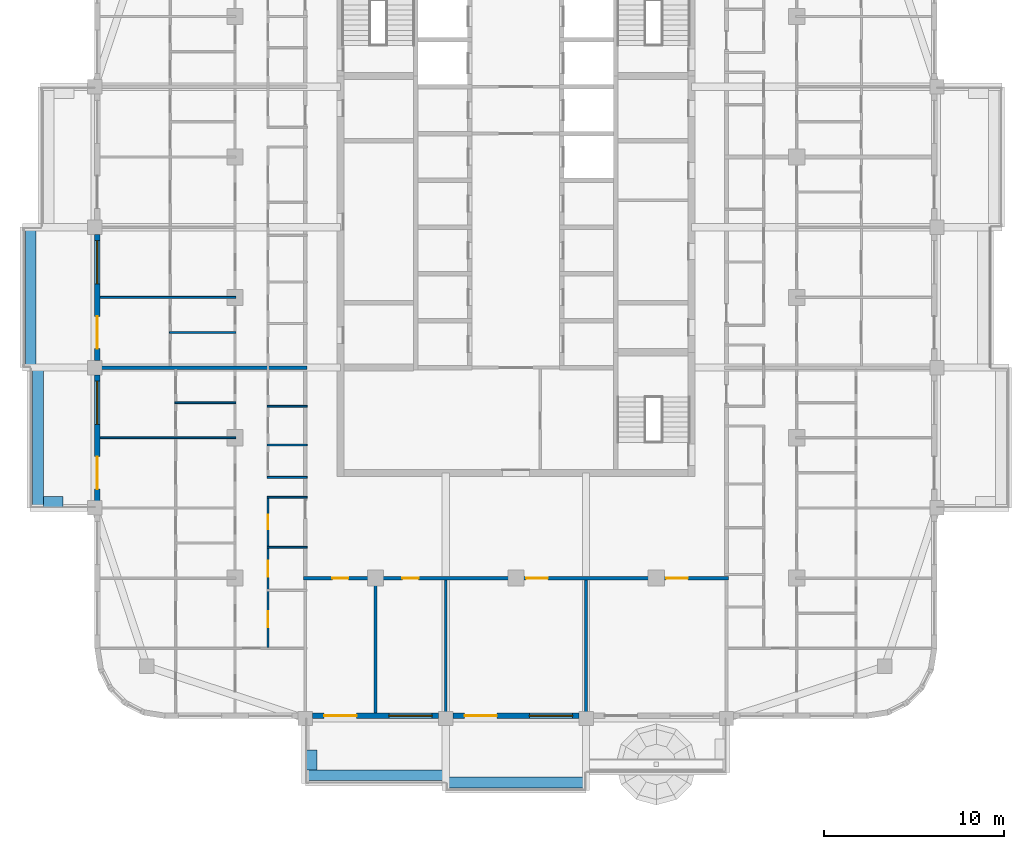
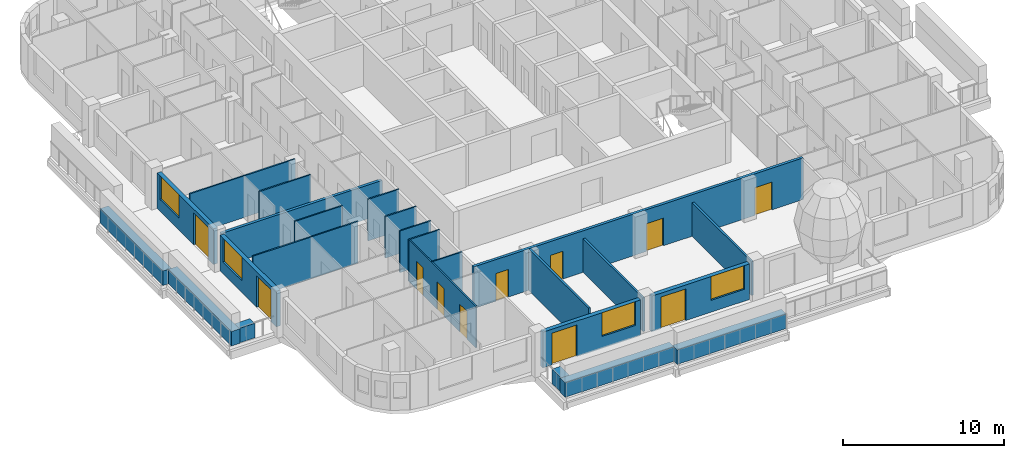
# One storey, part 3 of 17: 25 walls, 11 doors, 4 windows, 15 openings.
"""IFC4 building model written with IfcOpenShell, lengths in metres."""

from ifc_helpers import new_model, si_unit, direction, frame, frame_2d, origin, place, context, subcontext, project, spatial, rectangle, extrude, material, layer, layer_set, type_object, element, fill, save


model = new_model("IFC4")

# Units and contexts
model_context = context("Model", 3, precision=1e-05, world=origin(), true_north=direction((0.0, 1.0)))
body_context = subcontext(model_context, "Body", "Model", "MODEL_VIEW")
ifc_project = project(units=[si_unit("LENGTHUNIT", "METRE"), si_unit("AREAUNIT", "SQUARE_METRE"), si_unit("VOLUMEUNIT", "CUBIC_METRE"), si_unit("PLANEANGLEUNIT", "RADIAN"), si_unit("MASSUNIT", "GRAM", prefix="KILO")], contexts=[model_context])

# Site, building, storey
site_placement = place(None, origin())
site = spatial("IfcSite", under=ifc_project, at=site_placement, CompositionType="ELEMENT")
building_placement = place(site_placement, origin())
building = spatial("IfcBuilding", under=site, at=building_placement, Name="Ludao Terraces", CompositionType="ELEMENT")
storey_placement = place(building_placement, frame((0.0, 0.0, 210.89990234375)))
storey = spatial("IfcBuildingStorey", under=building, at=storey_placement, Name="L57", CompositionType="ELEMENT", Elevation=210.89990234375)

# Walls
ifc_material_1 = material(Name="Concrete C40", Category="concrete")
ifc_layer_1 = layer(ifc_material_1, 0.60009765625)
ifc_layer_set_1 = layer_set([ifc_layer_1], Name="ENV Planter trough 600")
wall_type_1 = type_object("IfcWallType", Name="ENV Planter trough 600", PredefinedType="USERDEFINED", material=ifc_layer_set_1)
wall_1_placement = place(storey_placement, frame((73.300048828125, 38.449951171875, 0.0), z_axis=(0.0, 0.0, 1.0), x_axis=(1.0, 0.0, 0.0)))
element("IfcWall", 1, at=wall_1_placement, inside=storey, type_object=wall_type_1, Name="PL-L57-S1", ObjectType="PLANTER", PredefinedType="USERDEFINED", context=body_context, shape_type="SweptSolid", body=[
    extrude(rectangle(XDim=7.800048828125, YDim=0.60009765625, at=frame_2d((3.89990234375, 0.0))), origin(), (0.0, 0.0, 1.0), 1.10009765625),
])
wall_2_placement = place(storey_placement, frame((73.64990234375, 38.75, 0.0), z_axis=(0.0, 0.0, 1.0), x_axis=(0.0, 1.0, 0.0)))
element("IfcWall", 2, at=wall_2_placement, inside=storey, type_object=wall_type_1, Name="PL-L57-S1-SA", ObjectType="PLANTER", PredefinedType="USERDEFINED", context=body_context, shape_type="SweptSolid", body=[
    extrude(rectangle(XDim=1.10009765625, YDim=0.60009765625, at=frame_2d((0.550048828125, 0.0))), origin(), (0.0, 0.0, 1.0), 1.10009765625),
])
wall_3_placement = place(storey_placement, frame((81.10009765625, 38.050048828125, 0.0), z_axis=(0.0, 0.0, 1.0), x_axis=(1.0, 0.0, 0.0)))
element("IfcWall", 3, at=wall_3_placement, inside=storey, type_object=wall_type_1, Name="PL-L57-S2", ObjectType="PLANTER", PredefinedType="USERDEFINED", context=body_context, shape_type="SweptSolid", body=[
    extrude(rectangle(XDim=7.7998046875, YDim=0.60009765625, at=frame_2d((3.89990234375, 0.0))), origin(), (0.0, 0.0, 1.0), 1.10009765625),
])
wall_4_placement = place(storey_placement, frame((58.449951171875, 53.300048828125, 0.0), z_axis=(0.0, 0.0, 1.0), x_axis=(0.0, 1.0, 0.0)))
element("IfcWall", 4, at=wall_4_placement, inside=storey, type_object=wall_type_1, Name="PL-L57-W1", ObjectType="PLANTER", PredefinedType="USERDEFINED", context=body_context, shape_type="SweptSolid", body=[
    extrude(rectangle(XDim=7.800048828125, YDim=0.60009765625, at=frame_2d((3.89990234375, 0.0))), origin(), (0.0, 0.0, 1.0), 1.10009765625),
])
wall_5_placement = place(storey_placement, frame((58.75, 53.64990234375, 0.0), z_axis=(0.0, 0.0, 1.0), x_axis=(1.0, 0.0, 0.0)))
element("IfcWall", 5, at=wall_5_placement, inside=storey, type_object=wall_type_1, Name="PL-L57-W1-SA", ObjectType="PLANTER", PredefinedType="USERDEFINED", context=body_context, shape_type="SweptSolid", body=[
    extrude(rectangle(XDim=1.10009765625, YDim=0.60009765625, at=frame_2d((0.550048828125, 0.0))), origin(), (0.0, 0.0, 1.0), 1.10009765625),
])
wall_6_placement = place(storey_placement, frame((58.050048828125, 61.10009765625, 0.0), z_axis=(0.0, 0.0, 1.0), x_axis=(0.0, 1.0, 0.0)))
element("IfcWall", 6, at=wall_6_placement, inside=storey, type_object=wall_type_1, Name="PL-L57-W2", ObjectType="PLANTER", PredefinedType="USERDEFINED", context=body_context, shape_type="SweptSolid", body=[
    extrude(rectangle(XDim=7.7998046875, YDim=0.60009765625, at=frame_2d((3.89990234375, 0.0))), origin(), (0.0, 0.0, 1.0), 1.10009765625),
])

# Wall, openings, door, window
ifc_material_2 = material(Name="Granite cladding", Category="masonry")
ifc_layer_2 = layer(ifc_material_2, 0.0400390625, Category="stone")
ifc_material_3 = material(Name="Mineral wool")
ifc_layer_3 = layer(ifc_material_3, 0.06005859375)
ifc_layer_4 = layer(ifc_material_1, 0.199951171875, Category="concrete")
ifc_layer_set_2 = layer_set([ifc_layer_2, ifc_layer_3, ifc_layer_4], Name="ENV Stone-clad wall 300")
wall_type_2 = type_object("IfcWallType", Name="ENV Stone-clad wall 300", PredefinedType="SOLIDWALL", material=ifc_layer_set_2)
wall_7_placement = place(storey_placement, frame((73.699951171875, 41.75, 0.0), z_axis=(0.0, 0.0, 1.0), x_axis=(1.0, 0.0, 0.0)))
wall_7 = element("IfcWall", 7, at=wall_7_placement, inside=storey, type_object=wall_type_2, Name="EW-L57-S2", PredefinedType="SOLIDWALL", context=body_context, shape_type="SweptSolid", body=[
    extrude(rectangle(XDim=7.0, YDim=0.300048828125, at=frame_2d((3.5, 0.0))), origin(), (0.0, 0.0, 1.0), 2.7001953125),
])
opening_1_placement = place(wall_7_placement, frame((0.64990234375, 0.0, 0.0)))
opening_1 = element("IfcOpeningElement", 8, at=opening_1_placement, cuts=wall_7, Name="Opening BD", PredefinedType="OPENING", context=body_context, shape_type="SweptSolid", body=[
    extrude(rectangle(XDim=1.800048828125, YDim=2.39990234375, at=frame_2d((0.89990234375, 1.199951171875))), frame((0.0, 0.16015625, 0.0), z_axis=(0.0, -1.0, 0.0), x_axis=(1.0, 0.0, 0.0)), (0.0, 0.0, 1.0), 0.320068359375),
])
opening_2_placement = place(wall_7_placement, frame((4.25, 0.0, 0.89990234375)))
opening_2 = element("IfcOpeningElement", 9, at=opening_2_placement, cuts=wall_7, Name="Opening W1", PredefinedType="OPENING", context=body_context, shape_type="SweptSolid", body=[
    extrude(rectangle(XDim=2.39990234375, YDim=1.800048828125, at=frame_2d((1.199951171875, 0.89990234375))), frame((0.0, 0.16015625, 0.0), z_axis=(0.0, -1.0, 0.0), x_axis=(1.0, 0.0, 0.0)), (0.0, 0.0, 1.0), 0.320068359375),
])
ifc_material_4 = material(Name="Aluminium glazed door", Category="aluminium")
ifc_layer_5 = layer(ifc_material_4, 0.06005859375)
ifc_layer_set_3 = layer_set([ifc_layer_5], Name="ENV Balcony door BD 1800x2400")
door_type_1 = type_object("IfcDoorType", Name="ENV Balcony door BD 1800x2400", OperationType="DOUBLE_DOOR_SINGLE_SWING", PredefinedType="DOOR", material=ifc_layer_set_3)
door_1_placement = place(opening_1_placement, origin())
door_1 = element("IfcDoor", 10, at=door_1_placement, inside=storey, type_object=door_type_1, Name="BD-L57-S2-1", OperationType="DOUBLE_DOOR_SINGLE_SWING", OverallHeight=2.39990234375, OverallWidth=1.800048828125, PredefinedType="DOOR", context=body_context, shape_type="SweptSolid", body=[
    extrude(rectangle(XDim=1.800048828125, YDim=2.39990234375, at=frame_2d((0.89990234375, 1.199951171875))), frame((0.0, 0.02490234375, 0.0), z_axis=(0.0, -1.0, 0.0), x_axis=(1.0, 0.0, 0.0)), (0.0, 0.0, 1.0), 0.050048828125),
])
fill(opening_1, door_1)
ifc_material_5 = material(Name="Clear glass in aluminium frame", Category="aluminium")
ifc_layer_6 = layer(ifc_material_5, 0.06005859375)
ifc_layer_set_4 = layer_set([ifc_layer_6], Name="ENV Window W1 2400x1800")
window_type = type_object("IfcWindowType", Name="ENV Window W1 2400x1800", PartitioningType="DOUBLE_PANEL_VERTICAL", PredefinedType="WINDOW", material=ifc_layer_set_4)
window_1_placement = place(opening_2_placement, origin())
window_1 = element("IfcWindow", 11, at=window_1_placement, inside=storey, type_object=window_type, Name="W-L57-S2-2", OverallHeight=1.800048828125, OverallWidth=2.39990234375, PartitioningType="DOUBLE_PANEL_VERTICAL", PredefinedType="WINDOW", context=body_context, shape_type="SweptSolid", body=[
    extrude(rectangle(XDim=2.39990234375, YDim=1.800048828125, at=frame_2d((1.199951171875, 0.89990234375))), frame((0.0, 0.030029296875, 0.0), z_axis=(0.0, -1.0, 0.0), x_axis=(1.0, 0.0, 0.0)), (0.0, 0.0, 1.0), 0.06005859375),
])
fill(opening_2, window_1)

wall_8_placement = place(storey_placement, frame((81.5, 41.75, 0.0), z_axis=(0.0, 0.0, 1.0), x_axis=(1.0, 0.0, 0.0)))
wall_8 = element("IfcWall", 12, at=wall_8_placement, inside=storey, type_object=wall_type_2, Name="EW-L57-S3", PredefinedType="SOLIDWALL", context=body_context, shape_type="SweptSolid", body=[
    extrude(rectangle(XDim=7.0, YDim=0.300048828125, at=frame_2d((3.5, 0.0))), origin(), (0.0, 0.0, 1.0), 2.7001953125),
])
opening_3_placement = place(wall_8_placement, frame((0.64990234375, 0.0, 0.0)))
opening_3 = element("IfcOpeningElement", 13, at=opening_3_placement, cuts=wall_8, Name="Opening BD", PredefinedType="OPENING", context=body_context, shape_type="SweptSolid", body=[
    extrude(rectangle(XDim=1.800048828125, YDim=2.39990234375, at=frame_2d((0.89990234375, 1.199951171875))), frame((0.0, 0.16015625, 0.0), z_axis=(0.0, -1.0, 0.0), x_axis=(1.0, 0.0, 0.0)), (0.0, 0.0, 1.0), 0.320068359375),
])
opening_4_placement = place(wall_8_placement, frame((4.25, 0.0, 0.89990234375)))
opening_4 = element("IfcOpeningElement", 14, at=opening_4_placement, cuts=wall_8, Name="Opening W1", PredefinedType="OPENING", context=body_context, shape_type="SweptSolid", body=[
    extrude(rectangle(XDim=2.39990234375, YDim=1.800048828125, at=frame_2d((1.199951171875, 0.89990234375))), frame((0.0, 0.16015625, 0.0), z_axis=(0.0, -1.0, 0.0), x_axis=(1.0, 0.0, 0.0)), (0.0, 0.0, 1.0), 0.320068359375),
])
door_2_placement = place(opening_3_placement, origin())
door_2 = element("IfcDoor", 15, at=door_2_placement, inside=storey, type_object=door_type_1, Name="BD-L57-S3-1", OperationType="DOUBLE_DOOR_SINGLE_SWING", OverallHeight=2.39990234375, OverallWidth=1.800048828125, PredefinedType="DOOR", context=body_context, shape_type="SweptSolid", body=[
    extrude(rectangle(XDim=1.800048828125, YDim=2.39990234375, at=frame_2d((0.89990234375, 1.199951171875))), frame((0.0, 0.02490234375, 0.0), z_axis=(0.0, -1.0, 0.0), x_axis=(1.0, 0.0, 0.0)), (0.0, 0.0, 1.0), 0.050048828125),
])
fill(opening_3, door_2)
window_2_placement = place(opening_4_placement, origin())
window_2 = element("IfcWindow", 16, at=window_2_placement, inside=storey, type_object=window_type, Name="W-L57-S3-2", OverallHeight=1.800048828125, OverallWidth=2.39990234375, PartitioningType="DOUBLE_PANEL_VERTICAL", PredefinedType="WINDOW", context=body_context, shape_type="SweptSolid", body=[
    extrude(rectangle(XDim=2.39990234375, YDim=1.800048828125, at=frame_2d((1.199951171875, 0.89990234375))), frame((0.0, 0.030029296875, 0.0), z_axis=(0.0, -1.0, 0.0), x_axis=(1.0, 0.0, 0.0)), (0.0, 0.0, 1.0), 0.06005859375),
])
fill(opening_4, window_2)

wall_9_placement = place(storey_placement, frame((61.75, 53.699951171875, 0.0), z_axis=(0.0, 0.0, 1.0), x_axis=(0.0, 1.0, 0.0)))
wall_9 = element("IfcWall", 17, at=wall_9_placement, inside=storey, type_object=wall_type_2, Name="EW-L57-W2", PredefinedType="SOLIDWALL", context=body_context, shape_type="SweptSolid", body=[
    extrude(rectangle(XDim=7.0, YDim=0.300048828125, at=frame_2d((3.5, 0.0))), origin(), (0.0, 0.0, 1.0), 2.7001953125),
])
opening_5_placement = place(wall_9_placement, frame((0.64990234375, 0.0, 0.0)))
opening_5 = element("IfcOpeningElement", 18, at=opening_5_placement, cuts=wall_9, Name="Opening BD", PredefinedType="OPENING", context=body_context, shape_type="SweptSolid", body=[
    extrude(rectangle(XDim=1.800048828125, YDim=2.39990234375, at=frame_2d((0.89990234375, 1.199951171875))), frame((0.0, 0.16015625, 0.0), z_axis=(0.0, -1.0, 0.0), x_axis=(1.0, 0.0, 0.0)), (0.0, 0.0, 1.0), 0.320068359375),
])
opening_6_placement = place(wall_9_placement, frame((4.25, 0.0, 0.89990234375)))
opening_6 = element("IfcOpeningElement", 19, at=opening_6_placement, cuts=wall_9, Name="Opening W1", PredefinedType="OPENING", context=body_context, shape_type="SweptSolid", body=[
    extrude(rectangle(XDim=2.39990234375, YDim=1.800048828125, at=frame_2d((1.199951171875, 0.89990234375))), frame((0.0, 0.16015625, 0.0), z_axis=(0.0, -1.0, 0.0), x_axis=(1.0, 0.0, 0.0)), (0.0, 0.0, 1.0), 0.320068359375),
])
door_3_placement = place(opening_5_placement, origin())
door_3 = element("IfcDoor", 20, at=door_3_placement, inside=storey, type_object=door_type_1, Name="BD-L57-W2-1", OperationType="DOUBLE_DOOR_SINGLE_SWING", OverallHeight=2.39990234375, OverallWidth=1.800048828125, PredefinedType="DOOR", context=body_context, shape_type="SweptSolid", body=[
    extrude(rectangle(XDim=1.800048828125, YDim=2.39990234375, at=frame_2d((0.89990234375, 1.199951171875))), frame((0.0, 0.02490234375, 0.0), z_axis=(0.0, -1.0, 0.0), x_axis=(1.0, 0.0, 0.0)), (0.0, 0.0, 1.0), 0.050048828125),
])
fill(opening_5, door_3)
window_3_placement = place(opening_6_placement, origin())
window_3 = element("IfcWindow", 21, at=window_3_placement, inside=storey, type_object=window_type, Name="W-L57-W2-2", OverallHeight=1.800048828125, OverallWidth=2.39990234375, PartitioningType="DOUBLE_PANEL_VERTICAL", PredefinedType="WINDOW", context=body_context, shape_type="SweptSolid", body=[
    extrude(rectangle(XDim=2.39990234375, YDim=1.800048828125, at=frame_2d((1.199951171875, 0.89990234375))), frame((0.0, 0.030029296875, 0.0), z_axis=(0.0, -1.0, 0.0), x_axis=(1.0, 0.0, 0.0)), (0.0, 0.0, 1.0), 0.06005859375),
])
fill(opening_6, window_3)

wall_10_placement = place(storey_placement, frame((61.75, 61.5, 0.0), z_axis=(0.0, 0.0, 1.0), x_axis=(0.0, 1.0, 0.0)))
wall_10 = element("IfcWall", 22, at=wall_10_placement, inside=storey, type_object=wall_type_2, Name="EW-L57-W3", PredefinedType="SOLIDWALL", context=body_context, shape_type="SweptSolid", body=[
    extrude(rectangle(XDim=7.0, YDim=0.300048828125, at=frame_2d((3.5, 0.0))), origin(), (0.0, 0.0, 1.0), 2.7001953125),
])
opening_7_placement = place(wall_10_placement, frame((0.64990234375, 0.0, 0.0)))
opening_7 = element("IfcOpeningElement", 23, at=opening_7_placement, cuts=wall_10, Name="Opening BD", PredefinedType="OPENING", context=body_context, shape_type="SweptSolid", body=[
    extrude(rectangle(XDim=1.800048828125, YDim=2.39990234375, at=frame_2d((0.89990234375, 1.199951171875))), frame((0.0, 0.16015625, 0.0), z_axis=(0.0, -1.0, 0.0), x_axis=(1.0, 0.0, 0.0)), (0.0, 0.0, 1.0), 0.320068359375),
])
opening_8_placement = place(wall_10_placement, frame((4.25, 0.0, 0.89990234375)))
opening_8 = element("IfcOpeningElement", 24, at=opening_8_placement, cuts=wall_10, Name="Opening W1", PredefinedType="OPENING", context=body_context, shape_type="SweptSolid", body=[
    extrude(rectangle(XDim=2.39990234375, YDim=1.800048828125, at=frame_2d((1.199951171875, 0.89990234375))), frame((0.0, 0.16015625, 0.0), z_axis=(0.0, -1.0, 0.0), x_axis=(1.0, 0.0, 0.0)), (0.0, 0.0, 1.0), 0.320068359375),
])
door_4_placement = place(opening_7_placement, origin())
door_4 = element("IfcDoor", 25, at=door_4_placement, inside=storey, type_object=door_type_1, Name="BD-L57-W3-1", OperationType="DOUBLE_DOOR_SINGLE_SWING", OverallHeight=2.39990234375, OverallWidth=1.800048828125, PredefinedType="DOOR", context=body_context, shape_type="SweptSolid", body=[
    extrude(rectangle(XDim=1.800048828125, YDim=2.39990234375, at=frame_2d((0.89990234375, 1.199951171875))), frame((0.0, 0.02490234375, 0.0), z_axis=(0.0, -1.0, 0.0), x_axis=(1.0, 0.0, 0.0)), (0.0, 0.0, 1.0), 0.050048828125),
])
fill(opening_7, door_4)
window_4_placement = place(opening_8_placement, origin())
window_4 = element("IfcWindow", 26, at=window_4_placement, inside=storey, type_object=window_type, Name="W-L57-W3-2", OverallHeight=1.800048828125, OverallWidth=2.39990234375, PartitioningType="DOUBLE_PANEL_VERTICAL", PredefinedType="WINDOW", context=body_context, shape_type="SweptSolid", body=[
    extrude(rectangle(XDim=2.39990234375, YDim=1.800048828125, at=frame_2d((1.199951171875, 0.89990234375))), frame((0.0, 0.030029296875, 0.0), z_axis=(0.0, -1.0, 0.0), x_axis=(1.0, 0.0, 0.0)), (0.0, 0.0, 1.0), 0.06005859375),
])
fill(opening_8, window_4)

# Wall, openings, doors
ifc_material_6 = material(Name="Autoclaved aerated concrete block B06 A3.5", Category="concrete")
ifc_layer_7 = layer(ifc_material_6, 0.199951171875)
ifc_layer_set_5 = layer_set([ifc_layer_7], Name="INT Entrance wall 200")
wall_type_3 = type_object("IfcWallType", Name="INT Entrance wall 200", PredefinedType="PARTITIONING", material=ifc_layer_set_5)
wall_11_placement = place(storey_placement, frame((73.2001953125, 49.39990234375, 0.0), z_axis=(0.0, 0.0, 1.0), x_axis=(1.0, 0.0, 0.0)))
wall_11 = element("IfcWall", 27, at=wall_11_placement, inside=storey, type_object=wall_type_3, Name="PW-L57-PW006", PredefinedType="PARTITIONING", context=body_context, shape_type="SweptSolid", body=[
    extrude(rectangle(XDim=23.599853515625, YDim=0.199951171875, at=frame_2d((11.7998046875, 0.0))), origin(), (0.0, 0.0, 1.0), 3.150146484375),
])
opening_9_placement = place(wall_11_placement, frame((1.599853515625, 0.0, 0.0)))
opening_9 = element("IfcOpeningElement", 28, at=opening_9_placement, cuts=wall_11, Name="Opening R20-015", PredefinedType="OPENING", context=body_context, shape_type="SweptSolid", body=[
    extrude(rectangle(XDim=0.89990234375, YDim=2.10009765625, at=frame_2d((0.449951171875, 1.050048828125))), frame((0.0, 0.10986328125, 0.0), z_axis=(0.0, -1.0, 0.0), x_axis=(1.0, 0.0, 0.0)), (0.0, 0.0, 1.0), 0.219970703125),
])
opening_10_placement = place(wall_11_placement, frame((5.5, 0.0, 0.0)))
opening_10 = element("IfcOpeningElement", 29, at=opening_10_placement, cuts=wall_11, Name="Opening R20-016", PredefinedType="OPENING", context=body_context, shape_type="SweptSolid", body=[
    extrude(rectangle(XDim=0.89990234375, YDim=2.10009765625, at=frame_2d((0.449951171875, 1.050048828125))), frame((0.0, 0.10986328125, 0.0), z_axis=(0.0, -1.0, 0.0), x_axis=(1.0, 0.0, 0.0)), (0.0, 0.0, 1.0), 0.219970703125),
])
opening_11_placement = place(wall_11_placement, frame((12.375, 0.0, 0.0)))
opening_11 = element("IfcOpeningElement", 30, at=opening_11_placement, cuts=wall_11, Name="Opening R20-017", PredefinedType="OPENING", context=body_context, shape_type="SweptSolid", body=[
    extrude(rectangle(XDim=1.199951171875, YDim=2.10009765625, at=frame_2d((0.60009765625, 1.050048828125))), frame((0.0, 0.10986328125, 0.0), z_axis=(0.0, -1.0, 0.0), x_axis=(1.0, 0.0, 0.0)), (0.0, 0.0, 1.0), 0.219970703125),
])
opening_12_placement = place(wall_11_placement, frame((20.14990234375, 0.0, 0.0)))
opening_12 = element("IfcOpeningElement", 31, at=opening_12_placement, cuts=wall_11, Name="Opening R20-018", PredefinedType="OPENING", context=body_context, shape_type="SweptSolid", body=[
    extrude(rectangle(XDim=1.199951171875, YDim=2.10009765625, at=frame_2d((0.60009765625, 1.050048828125))), frame((0.0, 0.10986328125, 0.0), z_axis=(0.0, -1.0, 0.0), x_axis=(1.0, 0.0, 0.0)), (0.0, 0.0, 1.0), 0.219970703125),
])
ifc_material_7 = material(Name="Timber door leaf", Category="wood")
door_type_2 = type_object("IfcDoorType", Name="INT Double door 1200", OperationType="DOUBLE_DOOR_SINGLE_SWING", PredefinedType="DOOR", material=ifc_material_7)
door_5_placement = place(opening_11_placement, origin())
door_5 = element("IfcDoor", 32, at=door_5_placement, inside=storey, type_object=door_type_2, Name="DOOR 017", OperationType="DOUBLE_DOOR_SINGLE_SWING", OverallHeight=2.10009765625, OverallWidth=1.199951171875, PredefinedType="DOOR", context=body_context, shape_type="SweptSolid", body=[
    extrude(rectangle(XDim=1.199951171875, YDim=2.10009765625, at=frame_2d((0.60009765625, 1.050048828125))), frame((0.0, 0.02490234375, 0.0), z_axis=(0.0, -1.0, 0.0), x_axis=(1.0, 0.0, 0.0)), (0.0, 0.0, 1.0), 0.050048828125),
])
fill(opening_11, door_5)
door_6_placement = place(opening_12_placement, origin())
door_6 = element("IfcDoor", 33, at=door_6_placement, inside=storey, type_object=door_type_2, Name="DOOR 018", OperationType="DOUBLE_DOOR_SINGLE_SWING", OverallHeight=2.10009765625, OverallWidth=1.199951171875, PredefinedType="DOOR", context=body_context, shape_type="SweptSolid", body=[
    extrude(rectangle(XDim=1.199951171875, YDim=2.10009765625, at=frame_2d((0.60009765625, 1.050048828125))), frame((0.0, 0.02490234375, 0.0), z_axis=(0.0, -1.0, 0.0), x_axis=(1.0, 0.0, 0.0)), (0.0, 0.0, 1.0), 0.050048828125),
])
fill(opening_12, door_6)
door_type_3 = type_object("IfcDoorType", Name="INT Room door 900", OperationType="SINGLE_SWING_LEFT", PredefinedType="DOOR", material=ifc_material_7)
door_7_placement = place(opening_9_placement, origin())
door_7 = element("IfcDoor", 34, at=door_7_placement, inside=storey, type_object=door_type_3, Name="DOOR 015", OperationType="SINGLE_SWING_LEFT", OverallHeight=2.10009765625, OverallWidth=0.89990234375, PredefinedType="DOOR", context=body_context, shape_type="SweptSolid", body=[
    extrude(rectangle(XDim=0.89990234375, YDim=2.10009765625, at=frame_2d((0.449951171875, 1.050048828125))), frame((0.0, 0.02490234375, 0.0), z_axis=(0.0, -1.0, 0.0), x_axis=(1.0, 0.0, 0.0)), (0.0, 0.0, 1.0), 0.050048828125),
])
fill(opening_9, door_7)
door_8_placement = place(opening_10_placement, origin())
door_8 = element("IfcDoor", 35, at=door_8_placement, inside=storey, type_object=door_type_3, Name="DOOR 016", OperationType="SINGLE_SWING_RIGHT", OverallHeight=2.10009765625, OverallWidth=0.89990234375, PredefinedType="DOOR", context=body_context, shape_type="SweptSolid", body=[
    extrude(rectangle(XDim=0.89990234375, YDim=2.10009765625, at=frame_2d((0.449951171875, 1.050048828125))), frame((0.0, 0.02490234375, 0.0), z_axis=(0.0, -1.0, 0.0), x_axis=(1.0, 0.0, 0.0)), (0.0, 0.0, 1.0), 0.050048828125),
])
fill(opening_10, door_8)

# Walls
ifc_material_8 = material(Name="Gypsum plasterboard", Category="gypsum")
ifc_layer_8 = layer(ifc_material_8, 0.012451171875, Category="gypsum")
ifc_layer_9 = layer(ifc_material_3, 0.06005859375, Name="insulation")
ifc_material_9 = material(Name="Steel Q235", Category="steel")
ifc_layer_10 = layer(ifc_material_9, 0.014892578125, Name="stud")
ifc_layer_11 = layer(ifc_material_8, 0.012451171875, Category="gypsum")
ifc_layer_set_6 = layer_set([ifc_layer_8, ifc_layer_9, ifc_layer_10, ifc_layer_11], Name="INT Partition 100")
wall_type_4 = type_object("IfcWallType", Name="INT Partition 100", PredefinedType="PARTITIONING", material=ifc_layer_set_6)
for number, where, z_axis, x_axis, name in (
    (36, (71.18017578125, 51.1201171875, 0.0), (0.0, 0.0, 1.0), (1.0, 0.0, 0.0), "PW-L57-PW009"),
    (37, (71.18017578125, 53.89990234375, 0.0), (0.0, 0.0, 1.0), (1.0, 0.0, 0.0), "PW-L57-PW014"),
    (38, (71.18017578125, 55.0, 0.0), (0.0, 0.0, 1.0), (1.0, 0.0, 0.0), "PW-L57-PW016"),
    (39, (71.18017578125, 56.800048828125, 0.0), (0.0, 0.0, 1.0), (1.0, 0.0, 0.0), "PW-L57-PW018"),
):
    element("IfcWall", number, at=place(storey_placement, frame(where, z_axis=z_axis, x_axis=x_axis)), inside=storey, type_object=wall_type_4, Name=name, PredefinedType="PARTITIONING", context=body_context, shape_type="SweptSolid", body=[
        extrude(rectangle(XDim=2.219970703125, YDim=0.10009765625, at=frame_2d((1.10986328125, 0.0))), origin(), (0.0, 0.0, 1.0), 3.150146484375),
    ])
wall_12_placement = place(storey_placement, frame((61.900146484375, 57.199951171875, 0.0), z_axis=(0.0, 0.0, 1.0), x_axis=(1.0, 0.0, 0.0)))
element("IfcWall", 40, at=wall_12_placement, inside=storey, type_object=wall_type_4, Name="PW-L57-PW019", PredefinedType="PARTITIONING", context=body_context, shape_type="SweptSolid", body=[
    extrude(rectangle(XDim=7.550048828125, YDim=0.10009765625, at=frame_2d((3.77490234375, 0.0))), origin(), (0.0, 0.0, 1.0), 3.150146484375),
])
wall_13_placement = place(storey_placement, frame((71.18017578125, 58.949951171875, 0.0), z_axis=(0.0, 0.0, 1.0), x_axis=(1.0, 0.0, 0.0)))
element("IfcWall", 41, at=wall_13_placement, inside=storey, type_object=wall_type_4, Name="PW-L57-PW022", PredefinedType="PARTITIONING", context=body_context, shape_type="SweptSolid", body=[
    extrude(rectangle(XDim=2.219970703125, YDim=0.10009765625, at=frame_2d((1.10986328125, 0.0))), origin(), (0.0, 0.0, 1.0), 3.150146484375),
])
wall_14_placement = place(storey_placement, frame((66.050048828125, 59.14990234375, 0.0), z_axis=(0.0, 0.0, 1.0), x_axis=(1.0, 0.0, 0.0)))
element("IfcWall", 42, at=wall_14_placement, inside=storey, type_object=wall_type_4, Name="PW-L57-PW024", PredefinedType="PARTITIONING", context=body_context, shape_type="SweptSolid", body=[
    extrude(rectangle(XDim=3.400146484375, YDim=0.10009765625, at=frame_2d((1.7001953125, 0.0))), origin(), (0.0, 0.0, 1.0), 3.150146484375),
])
wall_15_placement = place(storey_placement, frame((65.75, 63.050048828125, 0.0), z_axis=(0.0, 0.0, 1.0), x_axis=(1.0, 0.0, 0.0)))
element("IfcWall", 43, at=wall_15_placement, inside=storey, type_object=wall_type_4, Name="PW-L57-PW030", PredefinedType="PARTITIONING", context=body_context, shape_type="SweptSolid", body=[
    extrude(rectangle(XDim=3.7001953125, YDim=0.10009765625, at=frame_2d((1.85009765625, 0.0))), origin(), (0.0, 0.0, 1.0), 3.150146484375),
])
wall_16_placement = place(storey_placement, frame((61.900146484375, 65.0, 0.0), z_axis=(0.0, 0.0, 1.0), x_axis=(1.0, 0.0, 0.0)))
element("IfcWall", 44, at=wall_16_placement, inside=storey, type_object=wall_type_4, Name="PW-L57-PW033", PredefinedType="PARTITIONING", context=body_context, shape_type="SweptSolid", body=[
    extrude(rectangle(XDim=7.550048828125, YDim=0.10009765625, at=frame_2d((3.77490234375, 0.0))), origin(), (0.0, 0.0, 1.0), 3.150146484375),
])

# Wall, openings, doors
wall_17_placement = place(storey_placement, frame((71.22998046875, 45.550048828125, 0.0), z_axis=(0.0, 0.0, 1.0), x_axis=(0.0, 1.0, 0.0)))
wall_17 = element("IfcWall", 45, at=wall_17_placement, inside=storey, type_object=wall_type_4, Name="PW-L57-PW073", PredefinedType="PARTITIONING", context=body_context, shape_type="SweptSolid", body=[
    extrude(rectangle(XDim=8.300048828125, YDim=0.10009765625, at=frame_2d((4.14990234375, 0.0))), origin(), (0.0, 0.0, 1.0), 3.150146484375),
])
opening_13_placement = place(wall_17_placement, frame((1.110107421875, 0.0, 0.0)))
opening_13 = element("IfcOpeningElement", 46, at=opening_13_placement, cuts=wall_17, Name="Opening R20-009", PredefinedType="OPENING", context=body_context, shape_type="SweptSolid", body=[
    extrude(rectangle(XDim=0.89990234375, YDim=2.10009765625, at=frame_2d((0.449951171875, 1.050048828125))), frame((0.0, 0.06005859375, 0.0), z_axis=(0.0, -1.0, 0.0), x_axis=(1.0, 0.0, 0.0)), (0.0, 0.0, 1.0), 0.1201171875),
])
opening_14_placement = place(wall_17_placement, frame((3.919921875, 0.0, 0.0)))
opening_14 = element("IfcOpeningElement", 47, at=opening_14_placement, cuts=wall_17, Name="Opening R20-019", PredefinedType="OPENING", context=body_context, shape_type="SweptSolid", body=[
    extrude(rectangle(XDim=0.89990234375, YDim=2.10009765625, at=frame_2d((0.449951171875, 1.050048828125))), frame((0.0, 0.06005859375, 0.0), z_axis=(0.0, -1.0, 0.0), x_axis=(1.0, 0.0, 0.0)), (0.0, 0.0, 1.0), 0.1201171875),
])
opening_15_placement = place(wall_17_placement, frame((6.56005859375, 0.0, 0.0)))
opening_15 = element("IfcOpeningElement", 48, at=opening_15_placement, cuts=wall_17, Name="Opening R20-026", PredefinedType="OPENING", context=body_context, shape_type="SweptSolid", body=[
    extrude(rectangle(XDim=0.800048828125, YDim=2.10009765625, at=frame_2d((0.39990234375, 1.050048828125))), frame((0.0, 0.06005859375, 0.0), z_axis=(0.0, -1.0, 0.0), x_axis=(1.0, 0.0, 0.0)), (0.0, 0.0, 1.0), 0.1201171875),
])
door_type_4 = type_object("IfcDoorType", Name="INT Bathroom door 900", OperationType="SINGLE_SWING_LEFT", PredefinedType="DOOR", material=ifc_material_7)
door_9_placement = place(opening_14_placement, origin())
door_9 = element("IfcDoor", 49, at=door_9_placement, inside=storey, type_object=door_type_4, Name="DOOR 019", OperationType="SINGLE_SWING_RIGHT", OverallHeight=2.10009765625, OverallWidth=0.89990234375, PredefinedType="DOOR", context=body_context, shape_type="SweptSolid", body=[
    extrude(rectangle(XDim=0.89990234375, YDim=2.10009765625, at=frame_2d((0.449951171875, 1.050048828125))), frame((0.0, 0.02490234375, 0.0), z_axis=(0.0, -1.0, 0.0), x_axis=(1.0, 0.0, 0.0)), (0.0, 0.0, 1.0), 0.050048828125),
])
fill(opening_14, door_9)
door_10_placement = place(opening_13_placement, origin())
door_10 = element("IfcDoor", 50, at=door_10_placement, inside=storey, type_object=door_type_3, Name="DOOR 009", OperationType="SINGLE_SWING_RIGHT", OverallHeight=2.10009765625, OverallWidth=0.89990234375, PredefinedType="DOOR", context=body_context, shape_type="SweptSolid", body=[
    extrude(rectangle(XDim=0.89990234375, YDim=2.10009765625, at=frame_2d((0.449951171875, 1.050048828125))), frame((0.0, 0.02490234375, 0.0), z_axis=(0.0, -1.0, 0.0), x_axis=(1.0, 0.0, 0.0)), (0.0, 0.0, 1.0), 0.050048828125),
])
fill(opening_13, door_10)
door_type_5 = type_object("IfcDoorType", Name="INT Store door 800", OperationType="SINGLE_SWING_LEFT", PredefinedType="DOOR", material=ifc_material_7)
door_11_placement = place(opening_15_placement, origin())
door_11 = element("IfcDoor", 51, at=door_11_placement, inside=storey, type_object=door_type_5, Name="DOOR 026", OperationType="SINGLE_SWING_RIGHT", OverallHeight=2.10009765625, OverallWidth=0.800048828125, PredefinedType="DOOR", context=body_context, shape_type="SweptSolid", body=[
    extrude(rectangle(XDim=0.800048828125, YDim=2.10009765625, at=frame_2d((0.39990234375, 1.050048828125))), frame((0.0, 0.02490234375, 0.0), z_axis=(0.0, -1.0, 0.0), x_axis=(1.0, 0.0, 0.0)), (0.0, 0.0, 1.0), 0.050048828125),
])
fill(opening_15, door_11)

# Walls
ifc_layer_12 = layer(ifc_material_6, 0.14990234375)
ifc_layer_set_7 = layer_set([ifc_layer_12], Name="INT Party wall 150")
wall_type_5 = type_object("IfcWallType", Name="INT Party wall 150", PredefinedType="PARTITIONING", material=ifc_layer_set_7)
wall_18_placement = place(storey_placement, frame((77.199951171875, 41.900146484375, 0.0), z_axis=(0.0, 0.0, 1.0), x_axis=(0.0, 1.0, 0.0)))
element("IfcWall", 52, at=wall_18_placement, inside=storey, type_object=wall_type_5, Name="PW-L57-PW080", PredefinedType="PARTITIONING", context=body_context, shape_type="SweptSolid", body=[
    extrude(rectangle(XDim=7.39990234375, YDim=0.14990234375, at=frame_2d((3.699951171875, 0.0))), origin(), (0.0, 0.0, 1.0), 3.150146484375),
])
for number, where, z_axis, x_axis, name in (
    (53, (81.10009765625, 41.900146484375, 0.0), (0.0, 0.0, 1.0), (0.0, 1.0, 0.0), "PW-L57-PW082"),
    (54, (88.89990234375, 41.900146484375, 0.0), (0.0, 0.0, 1.0), (0.0, 1.0, 0.0), "PW-L57-PW086"),
):
    element("IfcWall", number, at=place(storey_placement, frame(where, z_axis=z_axis, x_axis=x_axis)), inside=storey, type_object=wall_type_5, Name=name, PredefinedType="PARTITIONING", context=body_context, shape_type="SweptSolid", body=[
        extrude(rectangle(XDim=7.39990234375, YDim=0.14990234375, at=frame_2d((3.699951171875, 0.0))), origin(), (0.0, 0.0, 1.0), 2.550048828125),
    ])
ifc_layer_13 = layer(ifc_material_6, 0.199951171875)
ifc_layer_set_8 = layer_set([ifc_layer_13], Name="INT Party wall 200")
wall_type_6 = type_object("IfcWallType", Name="INT Party wall 200", PredefinedType="PARTITIONING", material=ifc_layer_set_8)
wall_19_placement = place(storey_placement, frame((61.900146484375, 61.10009765625, 0.0), z_axis=(0.0, 0.0, 1.0), x_axis=(1.0, 0.0, 0.0)))
element("IfcWall", 55, at=wall_19_placement, inside=storey, type_object=wall_type_6, Name="PW-L57-PW026", PredefinedType="PARTITIONING", context=body_context, shape_type="SweptSolid", body=[
    extrude(rectangle(XDim=11.5, YDim=0.199951171875, at=frame_2d((5.75, 0.0))), origin(), (0.0, 0.0, 1.0), 2.550048828125),
])

save(model, "model.ifc")
